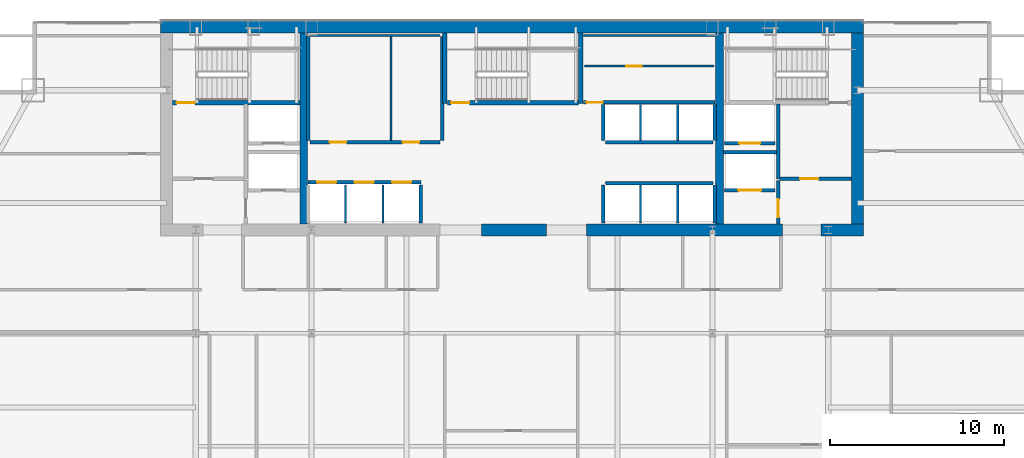
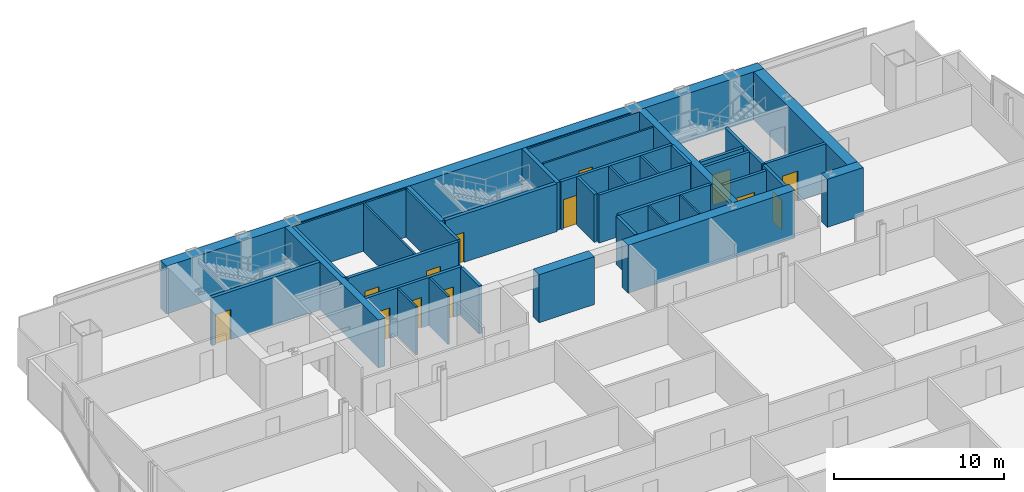
# One storey, part 26 of 29: 39 walls, 13 doors, 13 openings.
"""IFC4 building model written with IfcOpenShell, lengths in metres."""

import ifcopenshell
import ifcopenshell.guid

model = None  # the IFC model being written
_history = None  # IfcOwnerHistory: only IFC2X3 demands one
_inside = {}  # id of a spatial element -> (the spatial element, [elements in it])
_under = {}  # id of a project, library or spatial element -> (it, [spatial elements below it])
_declared = {}  # id of a project -> (the project, [libraries it declares])
_typed = {}  # id of a type object -> (the type object, [elements of that type])
_made_of = {}  # id of a material, layer set ... -> (it, [elements and type objects made of it])


def new_model(schema):
    """Start an empty IFC model of exactly this schema.

    Asked for "IFC4X3", IfcOpenShell would pick the latest addendum, in which some entities
    have other attributes; the version numbers below select the first issue.
    IFC2X3 requires an IfcOwnerHistory on every rooted entity: one is made here for all.
    """
    global model, _history
    if schema == "IFC4X3":
        model = ifcopenshell.file(schema_version=(4, 3, 0, 0))
    else:
        model = ifcopenshell.file(schema=schema)
    _inside.clear()
    _under.clear()
    _declared.clear()
    _typed.clear()
    _made_of.clear()
    _history = None
    if model.schema == "IFC2X3":
        org = make("IfcOrganization", Name="unknown")
        user = make(
            "IfcPersonAndOrganization",
            ThePerson=make("IfcPerson", FamilyName="unknown"),
            TheOrganization=org,
        )
        app = make(
            "IfcApplication",
            ApplicationDeveloper=org,
            Version="unknown",
            ApplicationFullName="unknown",
            ApplicationIdentifier="unknown",
        )
        _history = make(
            "IfcOwnerHistory",
            OwningUser=user,
            OwningApplication=app,
            ChangeAction="ADDED",
            CreationDate=0,
        )
    return model


def make(cls, **values):
    """One entity of the class cls with the attributes given. An attribute that is None is left unset."""
    return model.create_entity(
        cls, **{name: value for name, value in values.items() if value is not None}
    )


def rooted(cls, **values):
    """An entity with a GlobalId (a new one), such as an element, a storey or a relation."""
    return make(cls, GlobalId=ifcopenshell.guid.new(), OwnerHistory=_history, **values)


def si_unit(unit_type, name, prefix=None):
    """IfcSIUnit, for example si_unit("LENGTHUNIT", "METRE", prefix="MILLI")."""
    return make("IfcSIUnit", UnitType=unit_type, Prefix=prefix, Name=name)


def assignment(units):
    """IfcUnitAssignment: the units of a project."""
    return None if units is None else make("IfcUnitAssignment", Units=units)


def point(xyz):
    """IfcCartesianPoint."""
    return None if xyz is None else make("IfcCartesianPoint", Coordinates=xyz)


def direction(xyz):
    """IfcDirection."""
    return None if xyz is None else make("IfcDirection", DirectionRatios=xyz)


def frame(location, z_axis=None, x_axis=None):
    """IfcAxis2Placement3D, a coordinate frame: its origin and axes. An axis left out is left unset."""
    return make(
        "IfcAxis2Placement3D",
        Location=point(location),
        Axis=direction(z_axis),
        RefDirection=direction(x_axis),
    )


def frame_2d(location, x_axis=None):
    """IfcAxis2Placement2D, a coordinate frame in the plane: its origin and x axis."""
    return make(
        "IfcAxis2Placement2D", Location=point(location), RefDirection=direction(x_axis)
    )


def origin():
    """The frame at (0, 0, 0) with its axes left unset."""
    return frame((0.0, 0.0, 0.0))


def place(relative_to, where):
    """IfcLocalPlacement: puts the frame where relative to a parent placement (None: the world)."""
    return make(
        "IfcLocalPlacement", PlacementRelTo=relative_to, RelativePlacement=where
    )


def context(
    kind, dimensions, precision=None, world=None, true_north=None, identifier=None
):
    """IfcGeometricRepresentationContext, for example the 3D "Model" context."""
    return make(
        "IfcGeometricRepresentationContext",
        ContextIdentifier=identifier,
        ContextType=kind,
        CoordinateSpaceDimension=dimensions,
        Precision=precision,
        WorldCoordinateSystem=world,
        TrueNorth=true_north,
    )


def subcontext(parent, identifier, kind, view, scale=None):
    """IfcGeometricRepresentationSubContext, for example "Body" below "Model"."""
    return make(
        "IfcGeometricRepresentationSubContext",
        ContextIdentifier=identifier,
        ContextType=kind,
        ParentContext=parent,
        TargetScale=scale,
        TargetView=view,
    )


def project(units=None, contexts=None):
    """IfcProject with its units and contexts."""
    return rooted(
        "IfcProject",
        Name="project",
        RepresentationContexts=contexts,
        UnitsInContext=assignment(units),
    )


def spatial(cls, under=None, at=None, **own):
    """A site, building, storey or space (cls), placed at a placement, below another one or the project."""
    s = rooted(cls, ObjectPlacement=at, **own)
    if under is not None:
        _under.setdefault(under.id(), (under, []))[1].append(s)
    return s


def profile(cls, at=None, kind="AREA", **sizes):
    """A parametric profile (cls). Its sizes go by their IFC names, for example OverallWidth=200.0."""
    return make(cls, ProfileType=kind, Position=at, **sizes)


def rectangle(**sizes):
    """IfcRectangleProfileDef."""
    return profile("IfcRectangleProfileDef", **sizes)


def extrude(swept, where, along, depth):
    """IfcExtrudedAreaSolid: the profile swept, set in the frame where, extruded along a direction by depth."""
    return make(
        "IfcExtrudedAreaSolid",
        SweptArea=swept,
        Position=where,
        ExtrudedDirection=direction(along),
        Depth=depth,
    )


def shape(context_of_items, identifier, shape_type, items):
    """IfcShapeRepresentation: the items that make up one representation, for example the "Body"."""
    return make(
        "IfcShapeRepresentation",
        ContextOfItems=context_of_items,
        RepresentationIdentifier=identifier,
        RepresentationType=shape_type,
        Items=items,
    )


def material(Name=None, Category=None):
    """IfcMaterial."""
    return make("IfcMaterial", Name=Name, Category=Category)


def layer(
    of_material, thickness, ventilated=None, Name=None, Category=None, Priority=None
):
    """IfcMaterialLayer: one layer of a wall or slab, of a material (None: an air gap)."""
    return make(
        "IfcMaterialLayer",
        Material=of_material,
        LayerThickness=thickness,
        IsVentilated=ventilated,
        Name=Name,
        Category=Category,
        Priority=Priority,
    )


def layer_set(layers, Name=None):
    """IfcMaterialLayerSet."""
    return make("IfcMaterialLayerSet", MaterialLayers=layers, LayerSetName=Name)


def made_of(thing, what):
    """Note that an element or type object is made of a material, layer set ...; save() writes the relation."""
    if what is not None:
        _made_of.setdefault(what.id(), (what, []))[1].append(thing)
    return thing


def type_object(cls, material=None, **own):
    """A type object (cls), such as IfcWallType, which elements share."""
    return made_of(rooted(cls, **own), material)


def element(
    cls,
    number,
    at=None,
    inside=None,
    cuts=None,
    type_object=None,
    material=None,
    context=None,
    identifier="Body",
    shape_type=None,
    held_by="IfcProductDefinitionShape",
    body=None,
    shapes=None,
    **own,
):
    """One element of the class cls, such as IfcWall. Its Tag is "e" and its number.

    at: its placement. inside: the storey or other place that contains it. cuts: it is an
    opening in that element (IfcRelVoidsElement). A single representation is given by context,
    identifier, shape_type and body (its items); several are given by shapes. held_by: the class
    of the entity that holds the representations. save() writes the other relations.
    """
    e = rooted(cls, Tag="e%d" % number, ObjectPlacement=at, **own)
    if body is not None:
        shapes = [shape(context, identifier, shape_type, body)]
    if shapes is not None:
        e.Representation = make(held_by, Representations=shapes)
    if inside is not None:
        _inside.setdefault(inside.id(), (inside, []))[1].append(e)
    if cuts is not None:
        rooted(
            "IfcRelVoidsElement", RelatingBuildingElement=cuts, RelatedOpeningElement=e
        )
    if type_object is not None:
        _typed.setdefault(type_object.id(), (type_object, []))[1].append(e)
    return made_of(e, material)


def fill(opening, filler):
    """IfcRelFillsElement: the door or window that sits in an opening."""
    return rooted(
        "IfcRelFillsElement",
        RelatingOpeningElement=opening,
        RelatedBuildingElement=filler,
    )


def aggregate(whole, parts):
    """IfcRelAggregates: a whole, such as a stair, and the parts it consists of."""
    return rooted("IfcRelAggregates", RelatingObject=whole, RelatedObjects=parts)


def save(model, path):
    """Write the relations noted so far, then the file.

    IfcRelAggregates (storeys below a building ...), IfcRelContainedInSpatialStructure (elements
    in a storey), IfcRelDefinesByType, IfcRelAssociatesMaterial and IfcRelDeclares: one each for
    every whole, place, type object, material and project.
    """
    for whole, parts in _under.values():
        aggregate(whole, parts)
    for where, things in _inside.values():
        rooted(
            "IfcRelContainedInSpatialStructure",
            RelatedElements=things,
            RelatingStructure=where,
        )
    for kind, things in _typed.values():
        rooted("IfcRelDefinesByType", RelatedObjects=things, RelatingType=kind)
    for what, things in _made_of.values():
        rooted("IfcRelAssociatesMaterial", RelatedObjects=things, RelatingMaterial=what)
    for by, libraries in _declared.values():
        rooted("IfcRelDeclares", RelatingContext=by, RelatedDefinitions=libraries)
    model.write(path)


model = new_model("IFC4")

# Units and contexts
model_context = context("Model", 3, precision=1e-05, world=origin(), true_north=direction((0.0, 1.0)))
body_context = subcontext(model_context, "Body", "Model", "MODEL_VIEW")
ifc_project = project(units=[si_unit("LENGTHUNIT", "METRE"), si_unit("AREAUNIT", "SQUARE_METRE"), si_unit("VOLUMEUNIT", "CUBIC_METRE"), si_unit("PLANEANGLEUNIT", "RADIAN"), si_unit("MASSUNIT", "GRAM", prefix="KILO")], contexts=[model_context])

# Site, building, storey
site_placement = place(None, origin())
site = spatial("IfcSite", under=ifc_project, at=site_placement, CompositionType="ELEMENT")
building_placement = place(site_placement, origin())
building = spatial("IfcBuilding", under=site, at=building_placement, Name="Khoronbel Lancet Exchange", CompositionType="ELEMENT")
storey_placement = place(building_placement, frame((0.0, 0.0, 165.0)))
storey = spatial("IfcBuildingStorey", under=building, at=storey_placement, Name="L41", CompositionType="ELEMENT", Elevation=165.0)

# Walls
ifc_material_1 = material(Name="Concrete C80/95", Category="concrete")
ifc_layer_1 = layer(ifc_material_1, 0.699951171875, Name="Concrete C80/95")
ifc_layer_set_1 = layer_set([ifc_layer_1], Name="Concrete C80/95")
wall_type_1 = type_object("IfcWallType", Name="WL-CW2", PredefinedType="SHEAR", material=ifc_layer_set_1)
wall_1_placement = place(storey_placement, frame((16.199951171875, 53.35009765625, 0.0), z_axis=(0.0, 0.0, 1.0), x_axis=(1.0, 0.0, 0.0)))
element("IfcWall", 1, at=wall_1_placement, inside=storey, type_object=wall_type_1, Name="Level L41 rear core north shear wall", PredefinedType="SHEAR", context=body_context, shape_type="SweptSolid", body=[
    extrude(rectangle(XDim=40.5, YDim=0.699951171875, at=frame_2d((20.25, 0.0))), origin(), (0.0, 0.0, 1.0), 3.43994140625),
])
wall_2_placement = place(storey_placement, frame((56.35009765625, 53.0, 0.0), z_axis=(0.0, 0.0, 1.0), x_axis=(0.0, -1.0, 0.0)))
element("IfcWall", 2, at=wall_2_placement, inside=storey, type_object=wall_type_1, Name="Level L41 rear core east shear wall", PredefinedType="SHEAR", context=body_context, shape_type="SweptSolid", body=[
    extrude(rectangle(XDim=11.0, YDim=0.699951171875, at=frame_2d((5.5, 0.0))), origin(), (0.0, 0.0, 1.0), 3.43994140625),
])
wall_3_placement = place(storey_placement, frame((38.449951171875, 41.64990234375, 0.0), z_axis=(0.0, 0.0, 1.0), x_axis=(-1.0, 0.0, 0.0)))
element("IfcWall", 3, at=wall_3_placement, inside=storey, type_object=wall_type_1, Name="Level L41 rear core south shear wall pier P3", PredefinedType="SHEAR", context=body_context, shape_type="SweptSolid", body=[
    extrude(rectangle(XDim=3.75, YDim=0.699951171875, at=frame_2d((1.875, 0.0))), origin(), (0.0, 0.0, 1.0), 3.43994140625),
])
wall_4_placement = place(storey_placement, frame((52.050048828125, 41.64990234375, 0.0), z_axis=(0.0, 0.0, 1.0), x_axis=(-1.0, 0.0, 0.0)))
element("IfcWall", 4, at=wall_4_placement, inside=storey, type_object=wall_type_1, Name="Level L41 rear core south shear wall pier P4", PredefinedType="SHEAR", context=body_context, shape_type="SweptSolid", body=[
    extrude(rectangle(XDim=11.300048828125, YDim=0.699951171875, at=frame_2d((5.64990234375, 0.0))), origin(), (0.0, 0.0, 1.0), 3.43994140625),
])
wall_5_placement = place(storey_placement, frame((56.699951171875, 41.64990234375, 0.0), z_axis=(0.0, 0.0, 1.0), x_axis=(-1.0, 0.0, 0.0)))
element("IfcWall", 5, at=wall_5_placement, inside=storey, type_object=wall_type_1, Name="Level L41 rear core south shear wall pier P5", PredefinedType="SHEAR", context=body_context, shape_type="SweptSolid", body=[
    extrude(rectangle(XDim=2.449951171875, YDim=0.699951171875, at=frame_2d((1.22509765625, 0.0))), origin(), (0.0, 0.0, 1.0), 3.43994140625),
])
ifc_material_2 = material(Name="Fire-Rated Metal-Stud & Mineral-Wool Gypsum Partition 120 mm", Category="gypsum")
ifc_layer_2 = layer(ifc_material_2, 0.1201171875, Name="Fire-Rated Metal-Stud & Mineral-Wool Gypsum Partition 120 mm")
ifc_layer_set_2 = layer_set([ifc_layer_2], Name="Fire-Rated Metal-Stud & Mineral-Wool Gypsum Partition 120 mm")
wall_type_2 = type_object("IfcWallType", Name="WL-PRT120F", PredefinedType="PARTITIONING", material=ifc_layer_set_2)
wall_6_placement = place(storey_placement, frame((24.804931640625, 52.860107421875, 0.0), z_axis=(0.0, 0.0, 1.0), x_axis=(1.0, 0.0, 0.0)))
element("IfcWall", 6, at=wall_6_placement, inside=storey, type_object=wall_type_2, Name="Level L41 interior partition CW-PL-RN", PredefinedType="PARTITIONING", context=body_context, shape_type="SweptSolid", body=[
    extrude(rectangle(XDim=7.510009765625, YDim=0.1201171875, at=frame_2d((3.7548828125, 0.0))), origin(), (0.0, 0.0, 1.0), 3.43994140625),
])
wall_7_placement = place(storey_placement, frame((29.486328125, 46.804931640625, 0.0), z_axis=(0.0, 0.0, 1.0), x_axis=(0.0, 1.0, 0.0)))
element("IfcWall", 7, at=wall_7_placement, inside=storey, type_object=wall_type_2, Name="Level L41 interior partition CW-PL-RS2", PredefinedType="PARTITIONING", context=body_context, shape_type="SweptSolid", body=[
    extrude(rectangle(XDim=5.989990234375, YDim=0.1201171875, at=frame_2d((2.9951171875, 0.0))), origin(), (0.0, 0.0, 1.0), 3.43994140625),
])
for number, where, z_axis, x_axis, name in (
    (8, (26.860107421875, 42.050048828125, 0.0), (0.0, 0.0, 1.0), (0.0, 1.0, 0.0), "Level L41 interior partition CW-PM-D1"),
    (9, (29.02001953125, 42.050048828125, 0.0), (0.0, 0.0, 1.0), (0.0, 1.0, 0.0), "Level L41 interior partition CW-PM-D2"),
):
    element("IfcWall", number, at=place(storey_placement, frame(where, z_axis=z_axis, x_axis=x_axis)), inside=storey, type_object=wall_type_2, Name=name, PredefinedType="PARTITIONING", context=body_context, shape_type="SweptSolid", body=[
        extrude(rectangle(XDim=2.199951171875, YDim=0.1201171875, at=frame_2d((1.10009765625, 0.0))), origin(), (0.0, 0.0, 1.0), 3.43994140625),
    ])
for number, where, z_axis, x_axis, name in (
    (10, (43.860107421875, 46.804931640625, 0.0), (0.0, 0.0, 1.0), (0.0, 1.0, 0.0), "Level L41 interior partition CW-PH-D1"),
    (11, (46.0, 46.804931640625, 0.0), (0.0, 0.0, 1.0), (0.0, 1.0, 0.0), "Level L41 interior partition CW-PH-D2"),
):
    element("IfcWall", number, at=place(storey_placement, frame(where, z_axis=z_axis, x_axis=x_axis)), inside=storey, type_object=wall_type_2, Name=name, PredefinedType="PARTITIONING", context=body_context, shape_type="SweptSolid", body=[
        extrude(rectangle(XDim=2.090087890625, YDim=0.1201171875, at=frame_2d((1.044921875, 0.0))), origin(), (0.0, 0.0, 1.0), 3.43994140625),
    ])
for number, where, z_axis, x_axis, name in (
    (12, (43.860107421875, 42.050048828125, 0.0), (0.0, 0.0, 1.0), (0.0, 1.0, 0.0), "Level L41 interior partition CW-PX-D1"),
    (13, (46.0, 42.050048828125, 0.0), (0.0, 0.0, 1.0), (0.0, 1.0, 0.0), "Level L41 interior partition CW-PX-D2"),
):
    element("IfcWall", number, at=place(storey_placement, frame(where, z_axis=z_axis, x_axis=x_axis)), inside=storey, type_object=wall_type_2, Name=name, PredefinedType="PARTITIONING", context=body_context, shape_type="SweptSolid", body=[
        extrude(rectangle(XDim=2.195068359375, YDim=0.1201171875, at=frame_2d((1.09765625, 0.0))), origin(), (0.0, 0.0, 1.0), 3.43994140625),
    ])
wall_8_placement = place(storey_placement, frame((40.580078125, 52.860107421875, 0.0), z_axis=(0.0, 0.0, 1.0), x_axis=(1.0, 0.0, 0.0)))
element("IfcWall", 14, at=wall_8_placement, inside=storey, type_object=wall_type_2, Name="Level L41 interior partition CW-SUP-NE-N", PredefinedType="PARTITIONING", context=body_context, shape_type="SweptSolid", body=[
    extrude(rectangle(XDim=7.559814453125, YDim=0.1201171875, at=frame_2d((3.77978515625, 0.0))), origin(), (0.0, 0.0, 1.0), 3.43994140625),
])

# Wall, opening, door
wall_9_placement = place(storey_placement, frame((40.6298828125, 51.090087890625, 0.0), z_axis=(0.0, 0.0, 1.0), x_axis=(1.0, 0.0, 0.0)))
wall_9 = element("IfcWall", 15, at=wall_9_placement, inside=storey, type_object=wall_type_2, Name="Level L41 interior partition CW-SUP-NE-H", PredefinedType="PARTITIONING", context=body_context, shape_type="SweptSolid", body=[
    extrude(rectangle(XDim=7.460205078125, YDim=0.1201171875, at=frame_2d((3.72998046875, 0.0))), origin(), (0.0, 0.0, 1.0), 3.43994140625),
])
opening_1_placement = place(wall_9_placement, frame((2.39990234375, 0.0, 0.0)))
opening_1 = element("IfcOpeningElement", 16, at=opening_1_placement, cuts=wall_9, Name="Opening FD4", PredefinedType="OPENING", context=body_context, shape_type="SweptSolid", body=[
    extrude(rectangle(XDim=0.89990234375, YDim=2.050048828125, at=frame_2d((0.449951171875, 1.02490234375))), frame((0.0, 0.070068359375, 0.0), z_axis=(0.0, -1.0, 0.0), x_axis=(1.0, 0.0, 0.0)), (0.0, 0.0, 1.0), 0.14013671875),
])
ifc_material_3 = material(Name="Fire-Rated Steel Core Support Door Assembly", Category="steel")
door_type_1 = type_object("IfcDoorType", Name="DR-FD4", OperationType="NOTDEFINED", PredefinedType="DOOR", material=ifc_material_3)
door_1_placement = place(opening_1_placement, origin())
door_1 = element("IfcDoor", 17, at=door_1_placement, inside=storey, type_object=door_type_1, Name="Core NE north store door L41-1", OperationType="SINGLE_SWING_RIGHT", OverallHeight=2.050048828125, OverallWidth=0.89990234375, PredefinedType="DOOR", context=body_context, shape_type="SweptSolid", body=[
    extrude(rectangle(XDim=0.89990234375, YDim=2.050048828125, at=frame_2d((0.449951171875, 1.02490234375))), frame((0.0, 0.02490234375, 0.0), z_axis=(0.0, -1.0, 0.0), x_axis=(1.0, 0.0, 0.0)), (0.0, 0.0, 1.0), 0.050048828125),
])
fill(opening_1, door_1)

# Wall, openings, doors
ifc_material_4 = material(Name="Autoclaved Aerated Concrete Blockwork 200 mm", Category="masonry")
ifc_layer_3 = layer(ifc_material_4, 0.199951171875, Name="Autoclaved Aerated Concrete Blockwork 200 mm")
ifc_layer_set_3 = layer_set([ifc_layer_3], Name="Autoclaved Aerated Concrete Blockwork 200 mm")
wall_type_3 = type_object("IfcWallType", Name="WL-PRT200", PredefinedType="PARTITIONING", material=ifc_layer_set_3)
wall_10_placement = place(storey_placement, frame((24.68994140625, 44.39990234375, 0.0), z_axis=(0.0, 0.0, 1.0), x_axis=(1.0, 0.0, 0.0)))
wall_10 = element("IfcWall", 18, at=wall_10_placement, inside=storey, type_object=wall_type_3, Name="Level L41 elevator hoistway landing front wall PMW", PredefinedType="PARTITIONING", context=body_context, shape_type="SweptSolid", body=[
    extrude(rectangle(XDim=6.530029296875, YDim=0.199951171875, at=frame_2d((3.26513671875, 0.0))), origin(), (0.0, 0.0, 1.0), 3.43994140625),
])
opening_2_placement = place(wall_10_placement, frame((0.530029296875, 0.0, 0.0)))
opening_2 = element("IfcOpeningElement", 19, at=opening_2_placement, cuts=wall_10, Name="Opening LD-PM1", PredefinedType="OPENING", context=body_context, shape_type="SweptSolid", body=[
    extrude(rectangle(XDim=1.10009765625, YDim=2.179931640625, at=frame_2d((0.550048828125, 1.08984375))), frame((0.0, 0.10986328125, 0.0), z_axis=(0.0, -1.0, 0.0), x_axis=(1.0, 0.0, 0.0)), (0.0, 0.0, 1.0), 0.219970703125),
])
opening_3_placement = place(wall_10_placement, frame((2.68994140625, 0.0, 0.0)))
opening_3 = element("IfcOpeningElement", 20, at=opening_3_placement, cuts=wall_10, Name="Opening LD-PM2", PredefinedType="OPENING", context=body_context, shape_type="SweptSolid", body=[
    extrude(rectangle(XDim=1.10009765625, YDim=2.179931640625, at=frame_2d((0.550048828125, 1.08984375))), frame((0.0, 0.10986328125, 0.0), z_axis=(0.0, -1.0, 0.0), x_axis=(1.0, 0.0, 0.0)), (0.0, 0.0, 1.0), 0.219970703125),
])
opening_4_placement = place(wall_10_placement, frame((4.85009765625, 0.0, 0.0)))
opening_4 = element("IfcOpeningElement", 21, at=opening_4_placement, cuts=wall_10, Name="Opening LD-PM3", PredefinedType="OPENING", context=body_context, shape_type="SweptSolid", body=[
    extrude(rectangle(XDim=1.10009765625, YDim=2.179931640625, at=frame_2d((0.550048828125, 1.08984375))), frame((0.0, 0.10986328125, 0.0), z_axis=(0.0, -1.0, 0.0), x_axis=(1.0, 0.0, 0.0)), (0.0, 0.0, 1.0), 0.219970703125),
])
ifc_material_5 = material(Name="Brushed Bronze Bi-Parting Elevator Landing Door", Category="steel")
door_type_2 = type_object("IfcDoorType", Name="DR-LD-PAX", OperationType="NOTDEFINED", PredefinedType="DOOR", material=ifc_material_5)
door_2_placement = place(opening_2_placement, origin())
door_2 = element("IfcDoor", 22, at=door_2_placement, inside=storey, type_object=door_type_2, Name="Elevator landing sliding door LD-PM1 L41", OperationType="SLIDING_TO_LEFT", OverallHeight=2.179931640625, OverallWidth=1.10009765625, PredefinedType="DOOR", context=body_context, shape_type="SweptSolid", body=[
    extrude(rectangle(XDim=1.10009765625, YDim=2.179931640625, at=frame_2d((0.550048828125, 1.08984375))), frame((0.0, 0.02490234375, 0.0), z_axis=(0.0, -1.0, 0.0), x_axis=(1.0, 0.0, 0.0)), (0.0, 0.0, 1.0), 0.050048828125),
])
fill(opening_2, door_2)
door_3_placement = place(opening_3_placement, origin())
door_3 = element("IfcDoor", 23, at=door_3_placement, inside=storey, type_object=door_type_2, Name="Elevator landing sliding door LD-PM2 L41", OperationType="SLIDING_TO_LEFT", OverallHeight=2.179931640625, OverallWidth=1.10009765625, PredefinedType="DOOR", context=body_context, shape_type="SweptSolid", body=[
    extrude(rectangle(XDim=1.10009765625, YDim=2.179931640625, at=frame_2d((0.550048828125, 1.08984375))), frame((0.0, 0.02490234375, 0.0), z_axis=(0.0, -1.0, 0.0), x_axis=(1.0, 0.0, 0.0)), (0.0, 0.0, 1.0), 0.050048828125),
])
fill(opening_3, door_3)
door_4_placement = place(opening_4_placement, origin())
door_4 = element("IfcDoor", 24, at=door_4_placement, inside=storey, type_object=door_type_2, Name="Elevator landing sliding door LD-PM3 L41", OperationType="SLIDING_TO_LEFT", OverallHeight=2.179931640625, OverallWidth=1.10009765625, PredefinedType="DOOR", context=body_context, shape_type="SweptSolid", body=[
    extrude(rectangle(XDim=1.10009765625, YDim=2.179931640625, at=frame_2d((0.550048828125, 1.08984375))), frame((0.0, 0.02490234375, 0.0), z_axis=(0.0, -1.0, 0.0), x_axis=(1.0, 0.0, 0.0)), (0.0, 0.0, 1.0), 0.050048828125),
])
fill(opening_4, door_4)

# Wall, opening, door
wall_11_placement = place(storey_placement, frame((51.610107421875, 43.949951171875, 0.0), z_axis=(0.0, 0.0, 1.0), x_axis=(-1.0, 0.0, 0.0)))
wall_11 = element("IfcWall", 25, at=wall_11_placement, inside=storey, type_object=wall_type_3, Name="Level L41 elevator hoistway landing front wall SVLE", PredefinedType="PARTITIONING", context=body_context, shape_type="SweptSolid", body=[
    extrude(rectangle(XDim=2.920166015625, YDim=0.199951171875, at=frame_2d((1.4599609375, 0.0))), origin(), (0.0, 0.0, 1.0), 3.43994140625),
])
opening_5_placement = place(wall_11_placement, frame((0.81005859375, 0.0, 0.0)))
opening_5 = element("IfcOpeningElement", 26, at=opening_5_placement, cuts=wall_11, Name="Opening LD-SVL2", PredefinedType="OPENING", context=body_context, shape_type="SweptSolid", body=[
    extrude(rectangle(XDim=1.300048828125, YDim=2.179931640625, at=frame_2d((0.64990234375, 1.08984375))), frame((0.0, 0.10986328125, 0.0), z_axis=(0.0, -1.0, 0.0), x_axis=(1.0, 0.0, 0.0)), (0.0, 0.0, 1.0), 0.219970703125),
])
ifc_material_6 = material(Name="Heavy-Duty Bi-Parting Goods Lift Landing Door", Category="steel")
door_type_3 = type_object("IfcDoorType", Name="DR-LD-SVL", OperationType="NOTDEFINED", PredefinedType="DOOR", material=ifc_material_6)
door_5_placement = place(opening_5_placement, origin())
door_5 = element("IfcDoor", 27, at=door_5_placement, inside=storey, type_object=door_type_3, Name="Elevator landing sliding door LD-SVL2 L41", OperationType="SLIDING_TO_LEFT", OverallHeight=2.179931640625, OverallWidth=1.300048828125, PredefinedType="DOOR", context=body_context, shape_type="SweptSolid", body=[
    extrude(rectangle(XDim=1.300048828125, YDim=2.179931640625, at=frame_2d((0.64990234375, 1.08984375))), frame((0.0, 0.02490234375, 0.0), z_axis=(0.0, -1.0, 0.0), x_axis=(1.0, 0.0, 0.0)), (0.0, 0.0, 1.0), 0.050048828125),
])
fill(opening_5, door_5)

wall_12_placement = place(storey_placement, frame((51.610107421875, 46.64990234375, 0.0), z_axis=(0.0, 0.0, 1.0), x_axis=(-1.0, 0.0, 0.0)))
wall_12 = element("IfcWall", 28, at=wall_12_placement, inside=storey, type_object=wall_type_3, Name="Level L41 elevator hoistway landing front wall FFLE", PredefinedType="PARTITIONING", context=body_context, shape_type="SweptSolid", body=[
    extrude(rectangle(XDim=2.920166015625, YDim=0.199951171875, at=frame_2d((1.4599609375, 0.0))), origin(), (0.0, 0.0, 1.0), 3.43994140625),
])
opening_6_placement = place(wall_12_placement, frame((0.860107421875, 0.0, 0.0)))
opening_6 = element("IfcOpeningElement", 29, at=opening_6_placement, cuts=wall_12, Name="Opening LD-FFL2", PredefinedType="OPENING", context=body_context, shape_type="SweptSolid", body=[
    extrude(rectangle(XDim=1.199951171875, YDim=2.179931640625, at=frame_2d((0.60009765625, 1.08984375))), frame((0.0, 0.10986328125, 0.0), z_axis=(0.0, -1.0, 0.0), x_axis=(1.0, 0.0, 0.0)), (0.0, 0.0, 1.0), 0.219970703125),
])
ifc_material_7 = material(Name="Fire-Rated Stainless Bi-Parting Firefighting Lift Door", Category="steel")
door_type_4 = type_object("IfcDoorType", Name="DR-LD-FFL", OperationType="NOTDEFINED", PredefinedType="DOOR", material=ifc_material_7)
door_6_placement = place(opening_6_placement, origin())
door_6 = element("IfcDoor", 30, at=door_6_placement, inside=storey, type_object=door_type_4, Name="Elevator landing sliding door LD-FFL2 L41", OperationType="SLIDING_TO_LEFT", OverallHeight=2.179931640625, OverallWidth=1.199951171875, PredefinedType="DOOR", context=body_context, shape_type="SweptSolid", body=[
    extrude(rectangle(XDim=1.199951171875, YDim=2.179931640625, at=frame_2d((0.60009765625, 1.08984375))), frame((0.0, 0.02490234375, 0.0), z_axis=(0.0, -1.0, 0.0), x_axis=(1.0, 0.0, 0.0)), (0.0, 0.0, 1.0), 0.050048828125),
])
fill(opening_6, door_6)

# Wall
wall_13_placement = place(storey_placement, frame((51.800048828125, 44.60009765625, 0.0), z_axis=(0.0, 0.0, 1.0), x_axis=(0.0, 1.0, 0.0)))
element("IfcWall", 31, at=wall_13_placement, inside=storey, type_object=wall_type_3, Name="Level L41 interior partition CW-FFLE-W", PredefinedType="PARTITIONING", context=body_context, shape_type="SweptSolid", body=[
    extrude(rectangle(XDim=4.2998046875, YDim=0.199951171875, at=frame_2d((2.14990234375, 0.0))), origin(), (0.0, 0.0, 1.0), 3.43994140625),
])

# Wall, opening, door
wall_14_placement = place(storey_placement, frame((51.89990234375, 44.60009765625, 0.0), z_axis=(0.0, 0.0, 1.0), x_axis=(1.0, 0.0, 0.0)))
wall_14 = element("IfcWall", 32, at=wall_14_placement, inside=storey, type_object=wall_type_3, Name="Level L41 interior partition CW-FFLE-S", PredefinedType="PARTITIONING", context=body_context, shape_type="SweptSolid", body=[
    extrude(rectangle(XDim=4.10009765625, YDim=0.199951171875, at=frame_2d((2.050048828125, 0.0))), origin(), (0.0, 0.0, 1.0), 3.43994140625),
])
opening_7_placement = place(wall_14_placement, frame((1.14990234375, 0.0, 0.0)))
opening_7 = element("IfcOpeningElement", 33, at=opening_7_placement, cuts=wall_14, Name="Opening FD1", PredefinedType="OPENING", context=body_context, shape_type="SweptSolid", body=[
    extrude(rectangle(XDim=1.050048828125, YDim=2.14990234375, at=frame_2d((0.52490234375, 1.074951171875))), frame((0.0, 0.10986328125, 0.0), z_axis=(0.0, -1.0, 0.0), x_axis=(1.0, 0.0, 0.0)), (0.0, 0.0, 1.0), 0.219970703125),
])
ifc_material_8 = material(Name="Fire-Rated Painted Steel Door Assembly", Category="steel")
door_type_5 = type_object("IfcDoorType", Name="DR-FD1", OperationType="NOTDEFINED", PredefinedType="DOOR", material=ifc_material_8)
door_7_placement = place(opening_7_placement, origin())
door_7 = element("IfcDoor", 34, at=door_7_placement, inside=storey, type_object=door_type_5, Name="East firefighting lobby FD90S door L41-1", OperationType="SINGLE_SWING_LEFT", OverallHeight=2.14990234375, OverallWidth=1.050048828125, PredefinedType="DOOR", context=body_context, shape_type="SweptSolid", body=[
    extrude(rectangle(XDim=1.050048828125, YDim=2.14990234375, at=frame_2d((0.52490234375, 1.074951171875))), frame((0.0, 0.02490234375, 0.0), z_axis=(0.0, -1.0, 0.0), x_axis=(1.0, 0.0, 0.0)), (0.0, 0.0, 1.0), 0.050048828125),
])
fill(opening_7, door_7)

# Wall
wall_15_placement = place(storey_placement, frame((48.6298828125, 46.1201171875, 0.0), z_axis=(0.0, 0.0, 1.0), x_axis=(1.0, 0.0, 0.0)))
element("IfcWall", 35, at=wall_15_placement, inside=storey, type_object=wall_type_3, Name="Level L41 interior partition CW-FFL2-S", PredefinedType="PARTITIONING", context=body_context, shape_type="SweptSolid", body=[
    extrude(rectangle(XDim=3.070068359375, YDim=0.199951171875, at=frame_2d((1.53515625, 0.0))), origin(), (0.0, 0.0, 1.0), 3.43994140625),
])

# Wall, opening, door
wall_16_placement = place(storey_placement, frame((51.800048828125, 42.0, 0.0), z_axis=(0.0, 0.0, 1.0), x_axis=(0.0, 1.0, 0.0)))
wall_16 = element("IfcWall", 36, at=wall_16_placement, inside=storey, type_object=wall_type_3, Name="Level L41 interior partition CW-SVLE-E", PredefinedType="PARTITIONING", context=body_context, shape_type="SweptSolid", body=[
    extrude(rectangle(XDim=2.4951171875, YDim=0.199951171875, at=frame_2d((1.24755859375, 0.0))), origin(), (0.0, 0.0, 1.0), 3.43994140625),
])
opening_8_placement = place(wall_16_placement, frame((0.3798828125, 0.0, 0.0)))
opening_8 = element("IfcOpeningElement", 37, at=opening_8_placement, cuts=wall_16, Name="Opening FD1", PredefinedType="OPENING", context=body_context, shape_type="SweptSolid", body=[
    extrude(rectangle(XDim=1.050048828125, YDim=2.14990234375, at=frame_2d((0.52490234375, 1.074951171875))), frame((0.0, 0.10986328125, 0.0), z_axis=(0.0, -1.0, 0.0), x_axis=(1.0, 0.0, 0.0)), (0.0, 0.0, 1.0), 0.219970703125),
])
door_8_placement = place(opening_8_placement, origin())
door_8 = element("IfcDoor", 38, at=door_8_placement, inside=storey, type_object=door_type_5, Name="East service lift lobby door L41-1", OperationType="SINGLE_SWING_RIGHT", OverallHeight=2.14990234375, OverallWidth=1.050048828125, PredefinedType="DOOR", context=body_context, shape_type="SweptSolid", body=[
    extrude(rectangle(XDim=1.050048828125, YDim=2.14990234375, at=frame_2d((0.52490234375, 1.074951171875))), frame((0.0, 0.02490234375, 0.0), z_axis=(0.0, -1.0, 0.0), x_axis=(1.0, 0.0, 0.0)), (0.0, 0.0, 1.0), 0.050048828125),
])
fill(opening_8, door_8)

# Walls
for number, where, z_axis, x_axis, name in (
    (39, (24.699951171875, 46.804931640625, 0.0), (0.0, 0.0, 1.0), (0.0, 1.0, 0.0), "Level L41 interior partition CW-PL-RW"),
    (40, (32.419921875, 46.804931640625, 0.0), (0.0, 0.0, 1.0), (0.0, 1.0, 0.0), "Level L41 interior partition CW-PL-RE"),
):
    element("IfcWall", number, at=place(storey_placement, frame(where, z_axis=z_axis, x_axis=x_axis)), inside=storey, type_object=wall_type_3, Name=name, PredefinedType="PARTITIONING", context=body_context, shape_type="SweptSolid", body=[
        extrude(rectangle(XDim=5.989990234375, YDim=0.199951171875, at=frame_2d((2.9951171875, 0.0))), origin(), (0.0, 0.0, 1.0), 3.43994140625),
    ])

# Wall, openings, doors
wall_17_placement = place(storey_placement, frame((24.804931640625, 46.699951171875, 0.0), z_axis=(0.0, 0.0, 1.0), x_axis=(1.0, 0.0, 0.0)))
wall_17 = element("IfcWall", 41, at=wall_17_placement, inside=storey, type_object=wall_type_3, Name="Level L41 interior partition CW-PL-RF", PredefinedType="PARTITIONING", context=body_context, shape_type="SweptSolid", body=[
    extrude(rectangle(XDim=7.510009765625, YDim=0.199951171875, at=frame_2d((3.7548828125, 0.0))), origin(), (0.0, 0.0, 1.0), 3.43994140625),
])
opening_9_placement = place(wall_17_placement, frame((1.14990234375, 0.0, 0.0)))
opening_9 = element("IfcOpeningElement", 42, at=opening_9_placement, cuts=wall_17, Name="Opening FD3", PredefinedType="OPENING", context=body_context, shape_type="SweptSolid", body=[
    extrude(rectangle(XDim=0.949951171875, YDim=2.10009765625, at=frame_2d((0.47509765625, 1.050048828125))), frame((0.0, 0.10986328125, 0.0), z_axis=(0.0, -1.0, 0.0), x_axis=(1.0, 0.0, 0.0)), (0.0, 0.0, 1.0), 0.219970703125),
])
opening_10_placement = place(wall_17_placement, frame((5.33642578125, 0.0, 0.0)))
opening_10 = element("IfcOpeningElement", 43, at=opening_10_placement, cuts=wall_17, Name="Opening FD3", PredefinedType="OPENING", context=body_context, shape_type="SweptSolid", body=[
    extrude(rectangle(XDim=0.949951171875, YDim=2.10009765625, at=frame_2d((0.47509765625, 1.050048828125))), frame((0.0, 0.10986328125, 0.0), z_axis=(0.0, -1.0, 0.0), x_axis=(1.0, 0.0, 0.0)), (0.0, 0.0, 1.0), 0.219970703125),
])
ifc_material_9 = material(Name="Fire-Rated Steel Plant & Riser Door Assembly", Category="steel")
door_type_6 = type_object("IfcDoorType", Name="DR-FD3", OperationType="NOTDEFINED", PredefinedType="DOOR", material=ifc_material_9)
door_9_placement = place(opening_9_placement, origin())
door_9 = element("IfcDoor", 44, at=door_9_placement, inside=storey, type_object=door_type_6, Name="Reclaimed PL C door L41-1", OperationType="SINGLE_SWING_LEFT", OverallHeight=2.10009765625, OverallWidth=0.949951171875, PredefinedType="DOOR", context=body_context, shape_type="SweptSolid", body=[
    extrude(rectangle(XDim=0.949951171875, YDim=2.10009765625, at=frame_2d((0.47509765625, 1.050048828125))), frame((0.0, 0.02490234375, 0.0), z_axis=(0.0, -1.0, 0.0), x_axis=(1.0, 0.0, 0.0)), (0.0, 0.0, 1.0), 0.050048828125),
])
fill(opening_9, door_9)
door_10_placement = place(opening_10_placement, origin())
door_10 = element("IfcDoor", 45, at=door_10_placement, inside=storey, type_object=door_type_6, Name="Reclaimed PL D door L41-2", OperationType="SINGLE_SWING_RIGHT", OverallHeight=2.10009765625, OverallWidth=0.949951171875, PredefinedType="DOOR", context=body_context, shape_type="SweptSolid", body=[
    extrude(rectangle(XDim=0.949951171875, YDim=2.10009765625, at=frame_2d((0.47509765625, 1.050048828125))), frame((0.0, 0.02490234375, 0.0), z_axis=(0.0, -1.0, 0.0), x_axis=(1.0, 0.0, 0.0)), (0.0, 0.0, 1.0), 0.050048828125),
])
fill(opening_10, door_10)

# Walls
wall_18_placement = place(storey_placement, frame((31.179931640625, 42.050048828125, 0.0), z_axis=(0.0, 0.0, 1.0), x_axis=(0.0, 1.0, 0.0)))
element("IfcWall", 46, at=wall_18_placement, inside=storey, type_object=wall_type_3, Name="Level L41 interior partition CW-PM-E", PredefinedType="PARTITIONING", context=body_context, shape_type="SweptSolid", body=[
    extrude(rectangle(XDim=2.199951171875, YDim=0.199951171875, at=frame_2d((1.10009765625, 0.0))), origin(), (0.0, 0.0, 1.0), 3.43994140625),
])
wall_19_placement = place(storey_placement, frame((41.824951171875, 46.699951171875, 0.0), z_axis=(0.0, 0.0, 1.0), x_axis=(1.0, 0.0, 0.0)))
element("IfcWall", 47, at=wall_19_placement, inside=storey, type_object=wall_type_3, Name="Level L41 interior partition CW-PH-EXP", PredefinedType="PARTITIONING", context=body_context, shape_type="SweptSolid", body=[
    extrude(rectangle(XDim=6.2099609375, YDim=0.199951171875, at=frame_2d((3.10498046875, 0.0))), origin(), (0.0, 0.0, 1.0), 3.43994140625),
])
for number, where, z_axis, x_axis, name in (
    (48, (41.719970703125, 46.804931640625, 0.0), (0.0, 0.0, 1.0), (0.0, 1.0, 0.0), "Level L41 interior partition CW-PH-W"),
    (49, (48.139892578125, 46.804931640625, 0.0), (0.0, 0.0, 1.0), (0.0, 1.0, 0.0), "Level L41 interior partition CW-PH-E"),
):
    element("IfcWall", number, at=place(storey_placement, frame(where, z_axis=z_axis, x_axis=x_axis)), inside=storey, type_object=wall_type_3, Name=name, PredefinedType="PARTITIONING", context=body_context, shape_type="SweptSolid", body=[
        extrude(rectangle(XDim=2.090087890625, YDim=0.199951171875, at=frame_2d((1.044921875, 0.0))), origin(), (0.0, 0.0, 1.0), 3.43994140625),
    ])
wall_20_placement = place(storey_placement, frame((41.824951171875, 44.35009765625, 0.0), z_axis=(0.0, 0.0, 1.0), x_axis=(1.0, 0.0, 0.0)))
element("IfcWall", 50, at=wall_20_placement, inside=storey, type_object=wall_type_3, Name="Level L41 interior partition CW-PX-EXP", PredefinedType="PARTITIONING", context=body_context, shape_type="SweptSolid", body=[
    extrude(rectangle(XDim=6.2099609375, YDim=0.199951171875, at=frame_2d((3.10498046875, 0.0))), origin(), (0.0, 0.0, 1.0), 3.43994140625),
])
for number, where, z_axis, x_axis, name in (
    (51, (41.719970703125, 42.050048828125, 0.0), (0.0, 0.0, 1.0), (0.0, 1.0, 0.0), "Level L41 interior partition CW-PX-W"),
    (52, (48.139892578125, 42.050048828125, 0.0), (0.0, 0.0, 1.0), (0.0, 1.0, 0.0), "Level L41 interior partition CW-PX-E"),
):
    element("IfcWall", number, at=place(storey_placement, frame(where, z_axis=z_axis, x_axis=x_axis)), inside=storey, type_object=wall_type_3, Name=name, PredefinedType="PARTITIONING", context=body_context, shape_type="SweptSolid", body=[
        extrude(rectangle(XDim=2.195068359375, YDim=0.199951171875, at=frame_2d((1.09765625, 0.0))), origin(), (0.0, 0.0, 1.0), 3.43994140625),
    ])

# Wall, opening, door
wall_21_placement = place(storey_placement, frame((40.580078125, 49.0, 0.0), z_axis=(0.0, 0.0, 1.0), x_axis=(1.0, 0.0, 0.0)))
wall_21 = element("IfcWall", 53, at=wall_21_placement, inside=storey, type_object=wall_type_3, Name="Level L41 interior partition CW-SUP-NE-S", PredefinedType="PARTITIONING", context=body_context, shape_type="SweptSolid", body=[
    extrude(rectangle(XDim=7.559814453125, YDim=0.199951171875, at=frame_2d((3.77978515625, 0.0))), origin(), (0.0, 0.0, 1.0), 3.43994140625),
])
opening_11_placement = place(wall_21_placement, frame((0.159912109375, 0.0, 0.0)))
opening_11 = element("IfcOpeningElement", 54, at=opening_11_placement, cuts=wall_21, Name="Opening FD3", PredefinedType="OPENING", context=body_context, shape_type="SweptSolid", body=[
    extrude(rectangle(XDim=0.949951171875, YDim=2.10009765625, at=frame_2d((0.47509765625, 1.050048828125))), frame((0.0, 0.10986328125, 0.0), z_axis=(0.0, -1.0, 0.0), x_axis=(1.0, 0.0, 0.0)), (0.0, 0.0, 1.0), 0.219970703125),
])
door_11_placement = place(opening_11_placement, origin())
door_11 = element("IfcDoor", 55, at=door_11_placement, inside=storey, type_object=door_type_6, Name="Core NE support room door L41-1", OperationType="SINGLE_SWING_LEFT", OverallHeight=2.10009765625, OverallWidth=0.949951171875, PredefinedType="DOOR", context=body_context, shape_type="SweptSolid", body=[
    extrude(rectangle(XDim=0.949951171875, YDim=2.10009765625, at=frame_2d((0.47509765625, 1.050048828125))), frame((0.0, 0.02490234375, 0.0), z_axis=(0.0, -1.0, 0.0), x_axis=(1.0, 0.0, 0.0)), (0.0, 0.0, 1.0), 0.050048828125),
])
fill(opening_11, door_11)

# Walls
ifc_layer_4 = layer(ifc_material_1, 0.449951171875, Name="Concrete C80/95")
ifc_layer_set_4 = layer_set([ifc_layer_4], Name="Concrete C80/95")
wall_type_4 = type_object("IfcWallType", Name="WL-SW1", PredefinedType="SHEAR", material=ifc_layer_set_4)
for number, where, z_axis, x_axis, name in (
    (56, (24.449951171875, 42.0, 0.0), (0.0, 0.0, 1.0), (0.0, 1.0, 0.0), "Level L41 rear core internal spine shear wall IW"),
    (57, (48.39990234375, 42.0, 0.0), (0.0, 0.0, 1.0), (0.0, 1.0, 0.0), "Level L41 rear core internal spine shear wall IE"),
):
    element("IfcWall", number, at=place(storey_placement, frame(where, z_axis=z_axis, x_axis=x_axis)), inside=storey, type_object=wall_type_4, Name=name, PredefinedType="SHEAR", context=body_context, shape_type="SweptSolid", body=[
        extrude(rectangle(XDim=11.0, YDim=0.449951171875, at=frame_2d((5.5, 0.0))), origin(), (0.0, 0.0, 1.0), 3.43994140625),
    ])
ifc_material_10 = material(Name="Concrete C60/75", Category="concrete")
ifc_layer_5 = layer(ifc_material_10, 0.260009765625, Name="Concrete C60/75")
ifc_layer_set_5 = layer_set([ifc_layer_5], Name="Concrete C60/75")
wall_type_5 = type_object("IfcWallType", Name="WL-SW3", PredefinedType="SHEAR", material=ifc_layer_set_5)
for number, where, z_axis, x_axis, name in (
    (58, (32.580078125, 48.949951171875, 0.0), (0.0, 0.0, 1.0), (0.0, 1.0, 0.0), "Level L41 central stairwell structural shear wall ST3W"),
    (59, (40.419921875, 48.949951171875, 0.0), (0.0, 0.0, 1.0), (0.0, 1.0, 0.0), "Level L41 central stairwell structural shear wall ST3E"),
):
    element("IfcWall", number, at=place(storey_placement, frame(where, z_axis=z_axis, x_axis=x_axis)), inside=storey, type_object=wall_type_5, Name=name, PredefinedType="SHEAR", context=body_context, shape_type="SweptSolid", body=[
        extrude(rectangle(XDim=4.050048828125, YDim=0.260009765625, at=frame_2d((2.02490234375, 0.0))), origin(), (0.0, 0.0, 1.0), 3.43994140625),
    ])

# Wall, opening, door
wall_22_placement = place(storey_placement, frame((16.89990234375, 48.97998046875, 0.0), z_axis=(0.0, 0.0, 1.0), x_axis=(1.0, 0.0, 0.0)))
wall_22 = element("IfcWall", 60, at=wall_22_placement, inside=storey, type_object=wall_type_5, Name="Level L41 west stairwell structural south wall", PredefinedType="SHEAR", context=body_context, shape_type="SweptSolid", body=[
    extrude(rectangle(XDim=7.320068359375, YDim=0.239990234375, at=frame_2d((3.66015625, 0.0))), origin(), (0.0, 0.0, 1.0), 3.43994140625),
])
opening_12_placement = place(wall_22_placement, frame((0.219970703125, 0.0, 0.0)))
opening_12 = element("IfcOpeningElement", 61, at=opening_12_placement, cuts=wall_22, Name="Opening SD1", PredefinedType="OPENING", context=body_context, shape_type="SweptSolid", body=[
    extrude(rectangle(XDim=1.050048828125, YDim=2.14990234375, at=frame_2d((0.52490234375, 1.074951171875))), frame((0.0, 0.1298828125, 0.0), z_axis=(0.0, -1.0, 0.0), x_axis=(1.0, 0.0, 0.0)), (0.0, 0.0, 1.0), 0.260009765625),
])
ifc_material_11 = material(Name="Fire-Rated Steel Stairwell Door Assembly", Category="steel")
door_type_7 = type_object("IfcDoorType", Name="DR-SD1", OperationType="NOTDEFINED", PredefinedType="DOOR", material=ifc_material_11)
door_12_placement = place(opening_12_placement, origin())
door_12 = element("IfcDoor", 62, at=door_12_placement, inside=storey, type_object=door_type_7, Name="Protected exit stair ST1 door L41", OperationType="SINGLE_SWING_LEFT", OverallHeight=2.14990234375, OverallWidth=1.050048828125, PredefinedType="DOOR", context=body_context, shape_type="SweptSolid", body=[
    extrude(rectangle(XDim=1.050048828125, YDim=2.14990234375, at=frame_2d((0.52490234375, 1.074951171875))), frame((0.0, 0.02490234375, 0.0), z_axis=(0.0, -1.0, 0.0), x_axis=(1.0, 0.0, 0.0)), (0.0, 0.0, 1.0), 0.050048828125),
])
fill(opening_12, door_12)

wall_23_placement = place(storey_placement, frame((32.719970703125, 48.97998046875, 0.0), z_axis=(0.0, 0.0, 1.0), x_axis=(1.0, 0.0, 0.0)))
wall_23 = element("IfcWall", 63, at=wall_23_placement, inside=storey, type_object=wall_type_5, Name="Level L41 central stairwell structural south wall", PredefinedType="SHEAR", context=body_context, shape_type="SweptSolid", body=[
    extrude(rectangle(XDim=7.56005859375, YDim=0.239990234375, at=frame_2d((3.780029296875, 0.0))), origin(), (0.0, 0.0, 1.0), 3.43994140625),
])
opening_13_placement = place(wall_23_placement, frame((0.219970703125, 0.0, 0.0)))
opening_13 = element("IfcOpeningElement", 64, at=opening_13_placement, cuts=wall_23, Name="Opening SD1", PredefinedType="OPENING", context=body_context, shape_type="SweptSolid", body=[
    extrude(rectangle(XDim=1.050048828125, YDim=2.14990234375, at=frame_2d((0.52490234375, 1.074951171875))), frame((0.0, 0.1298828125, 0.0), z_axis=(0.0, -1.0, 0.0), x_axis=(1.0, 0.0, 0.0)), (0.0, 0.0, 1.0), 0.260009765625),
])
door_13_placement = place(opening_13_placement, origin())
door_13 = element("IfcDoor", 65, at=door_13_placement, inside=storey, type_object=door_type_7, Name="Protected exit stair ST3 door L41", OperationType="SINGLE_SWING_LEFT", OverallHeight=2.14990234375, OverallWidth=1.050048828125, PredefinedType="DOOR", context=body_context, shape_type="SweptSolid", body=[
    extrude(rectangle(XDim=1.050048828125, YDim=2.14990234375, at=frame_2d((0.52490234375, 1.074951171875))), frame((0.0, 0.02490234375, 0.0), z_axis=(0.0, -1.0, 0.0), x_axis=(1.0, 0.0, 0.0)), (0.0, 0.0, 1.0), 0.050048828125),
])
fill(opening_13, door_13)

save(model, "model.ifc")
